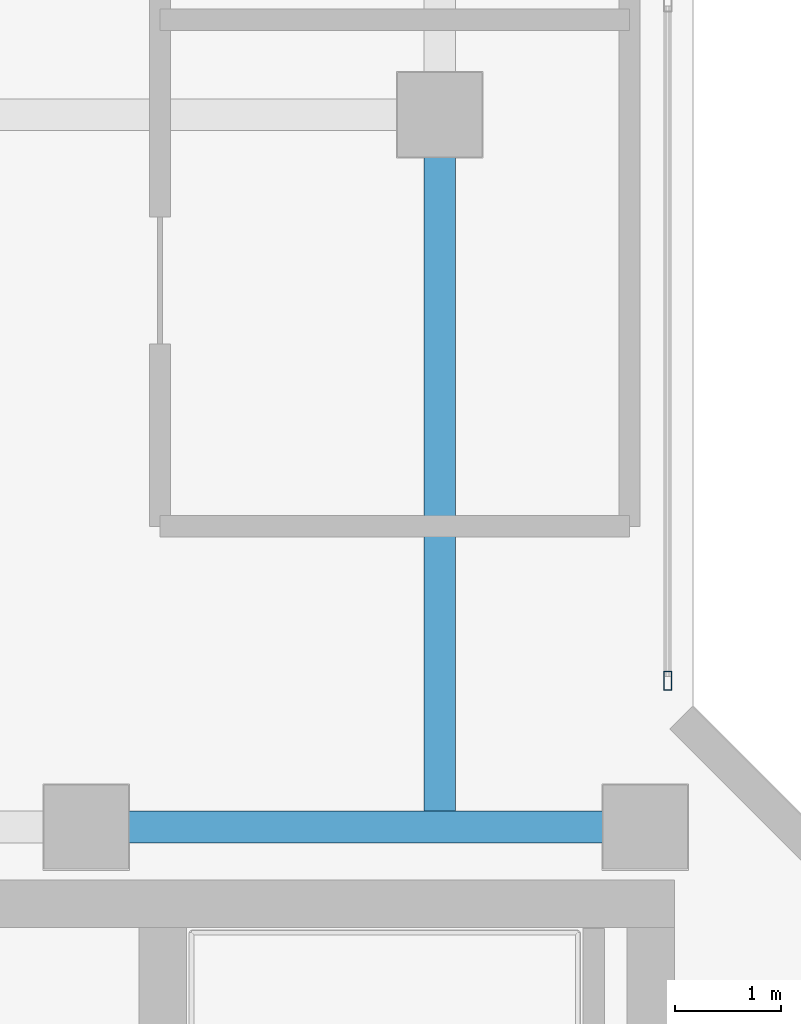
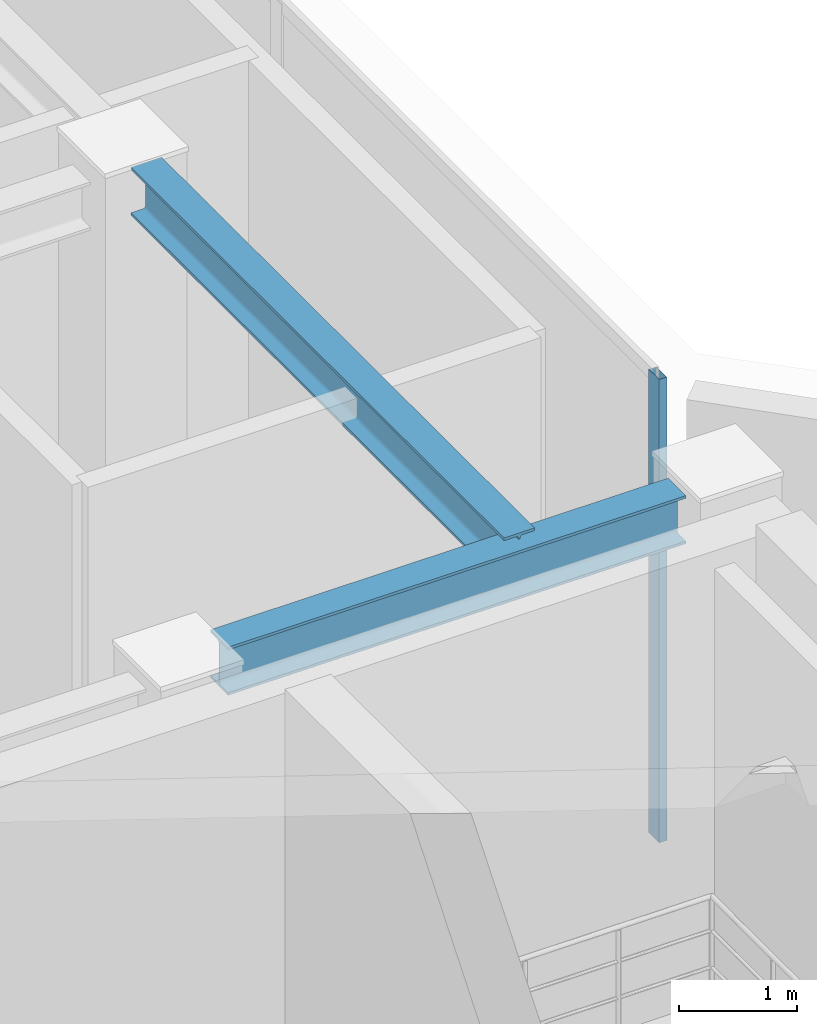
# One storey, part 10 of 22: 2 beams, 1 member, 1 element without a shape of its own.
"""IFC4 building model written with IfcOpenShell, lengths in metres."""

from ifc_helpers import new_model, si_unit, direction, frame, origin, origin_with_axes, origin_2d, place, context, subcontext, project, spatial, hollow_rectangle, i_section, extrude, source, transform, mapped, material, layer, layer_set, material_profile, profile_set, type_object, element, aggregate, save


model = new_model("IFC4")

# Units and contexts
model_context = context("Model", 3, precision=1e-05, world=origin(), true_north=direction((0.0, 1.0)))
body_context = subcontext(model_context, "Body", "Model", "MODEL_VIEW")
ifc_project = project(units=[si_unit("LENGTHUNIT", "METRE"), si_unit("AREAUNIT", "SQUARE_METRE"), si_unit("VOLUMEUNIT", "CUBIC_METRE"), si_unit("PLANEANGLEUNIT", "RADIAN"), si_unit("MASSUNIT", "GRAM", prefix="KILO")], contexts=[model_context])

# Site, building, storey
site_placement = place(None, origin())
site = spatial("IfcSite", under=ifc_project, at=site_placement, CompositionType="ELEMENT")
building_placement = place(site_placement, origin())
building = spatial("IfcBuilding", under=site, at=building_placement, Name="Kolvaren Waterfront Exchange", CompositionType="ELEMENT")
storey_placement = place(building_placement, frame((0.0, 0.0, 360.39990234375)))
storey = spatial("IfcBuildingStorey", under=building, at=storey_placement, Name="RF", CompositionType="ELEMENT", Elevation=360.39990234375)

# Beams
ifc_material_1 = material(Name="Steel S355", Category="steel")
ifc_material_profile_1 = material_profile(ifc_material_1, i_section(OverallWidth=0.300048828125, OverallDepth=0.5, WebThickness=0.014404296875, FlangeThickness=0.028076171875, FilletRadius=0.027099609375, at=origin_2d()), Name="HEB500")
ifc_profile_set_1 = profile_set([ifc_material_profile_1], Name="Steel S355")
beam_type = type_object("IfcBeamType", Name="STR-BM-HEB500", PredefinedType="BEAM", material=ifc_profile_set_1)
beam_1_placement = place(storey_placement, frame((18.800048828125, 24.449951171875, 4.49853515625), z_axis=(0.0, 1.0, 0.0), x_axis=(-1.0, 0.0, 0.0)))
element("IfcBeam", 1, at=beam_1_placement, inside=storey, type_object=beam_type, Name="RF crown roof girder 15", PredefinedType="SPANDREL", context=body_context, shape_type="SweptSolid", body=[
    extrude(i_section(OverallWidth=0.300048828125, OverallDepth=0.5, WebThickness=0.014404296875, FlangeThickness=0.028076171875, FilletRadius=0.027099609375, at=origin_2d()), origin(), (0.0, 0.0, 1.0), 6.34814453125),
])
beam_2_placement = place(storey_placement, frame((15.85205078125, 24.449951171875, 4.434326171875), z_axis=(1.0, 0.0, 0.0), x_axis=(0.0, 1.0, 0.0)))
element("IfcBeam", 2, at=beam_2_placement, inside=storey, type_object=beam_type, Name="RF crown roof girder 19", PredefinedType="BEAM", context=body_context, shape_type="SweptSolid", body=[
    extrude(i_section(OverallWidth=0.300048828125, OverallDepth=0.5, WebThickness=0.014404296875, FlangeThickness=0.028076171875, FilletRadius=0.027099609375, at=origin_2d()), origin(), (0.0, 0.0, 1.0), 4.495849609375),
])

# Curtain wall, member
ifc_material_2 = material(Name="Anodised bronze aluminium 6063-T6", Category="aluminium")
ifc_layer = layer(ifc_material_2, 0.219970703125, Name="Anodised bronze aluminium 6063-T6")
ifc_layer_set = layer_set([ifc_layer], Name="Anodised bronze aluminium 6063-T6")
curtain_wall_type = type_object("IfcCurtainWallType", Name="ARC-CW-SYS5", PredefinedType="USERDEFINED", material=ifc_layer_set)
curtain_wall_placement = place(storey_placement, origin())
curtain_wall = element("IfcCurtainWall", 3, at=curtain_wall_placement, inside=storey, type_object=curtain_wall_type, Name="RF stick curtain wall CW5 (CW-RF-NE)", ObjectType="STICK CURTAIN WALL", PredefinedType="USERDEFINED")
ifc_material_profile_2 = material_profile(ifc_material_2, hollow_rectangle(XDim=0.074951171875, YDim=0.179931640625, WallThickness=0.00439453125, at=origin_2d()), Name="ALU-MUL-180x75x4.5")
ifc_profile_set_2 = profile_set([ifc_material_profile_2], Name="Anodised bronze aluminium 6063-T6")
member_type = type_object("IfcMemberType", Name="ARC-CWM-180", PredefinedType="MULLION", material=ifc_profile_set_2)
shared_shape = source(origin_with_axes(), body_context, "Body", "SweptSolid", [
    extrude(hollow_rectangle(XDim=0.074951171875, YDim=0.179931640625, WallThickness=0.00439453125, at=origin_2d()), origin(), (0.0, 0.0, 1.0), 4.81005859375),
])
member_placement = place(storey_placement, frame((20.9599609375, 25.83740234375, 0.0), z_axis=(0.0, 0.0, 1.0), x_axis=(-1.0, 0.0, 0.0)))
member = element("IfcMember", 4, at=member_placement, type_object=member_type, Name="CW5 mullion 1", PredefinedType="MULLION", context=body_context, shape_type="MappedRepresentation", body=[
    mapped(shared_shape, transform((0.0, 0.0, 0.0), x_axis=(1.0, 0.0, 0.0), y_axis=(0.0, 1.0, 0.0), z_axis=(0.0, 0.0, 1.0), scale=1.0)),
])
aggregate(curtain_wall, [member])

save(model, "model.ifc")
